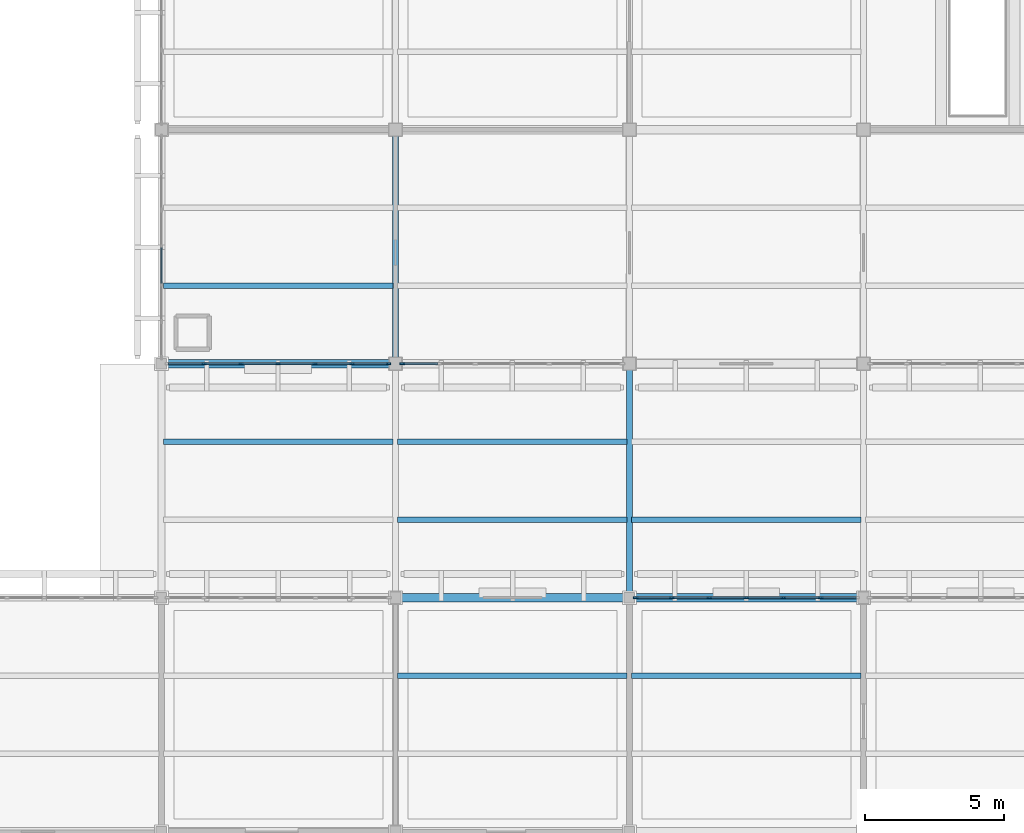
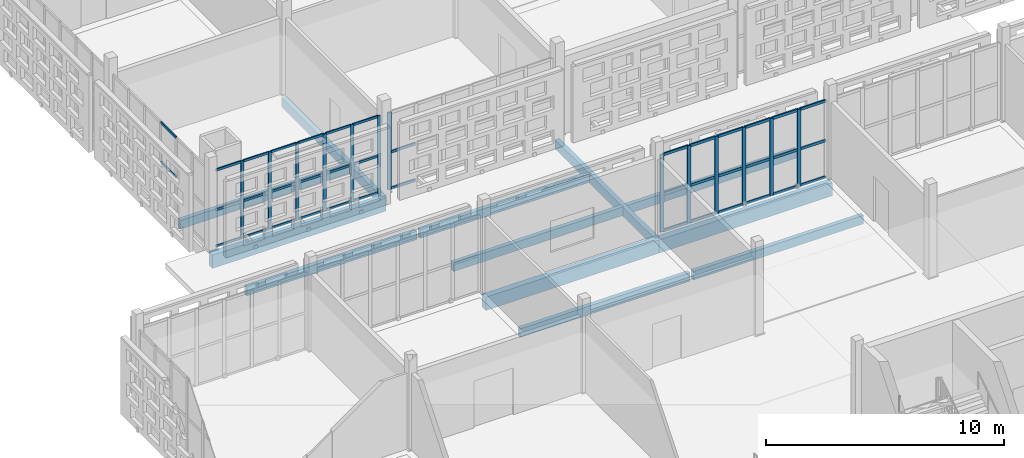
# One storey, part 73 of 203: 53 members, 12 beams, 4 elements without a shape of their own.
"""IFC4 building model written with IfcOpenShell, lengths in metres."""

import ifcopenshell
import ifcopenshell.guid

model = None  # the IFC model being written
_history = None  # IfcOwnerHistory: only IFC2X3 demands one
_inside = {}  # id of a spatial element -> (the spatial element, [elements in it])
_under = {}  # id of a project, library or spatial element -> (it, [spatial elements below it])
_declared = {}  # id of a project -> (the project, [libraries it declares])
_typed = {}  # id of a type object -> (the type object, [elements of that type])
_made_of = {}  # id of a material, layer set ... -> (it, [elements and type objects made of it])


def new_model(schema):
    """Start an empty IFC model of exactly this schema.

    Asked for "IFC4X3", IfcOpenShell would pick the latest addendum, in which some entities
    have other attributes; the version numbers below select the first issue.
    IFC2X3 requires an IfcOwnerHistory on every rooted entity: one is made here for all.
    """
    global model, _history
    if schema == "IFC4X3":
        model = ifcopenshell.file(schema_version=(4, 3, 0, 0))
    else:
        model = ifcopenshell.file(schema=schema)
    _inside.clear()
    _under.clear()
    _declared.clear()
    _typed.clear()
    _made_of.clear()
    _history = None
    if model.schema == "IFC2X3":
        org = make("IfcOrganization", Name="unknown")
        user = make(
            "IfcPersonAndOrganization",
            ThePerson=make("IfcPerson", FamilyName="unknown"),
            TheOrganization=org,
        )
        app = make(
            "IfcApplication",
            ApplicationDeveloper=org,
            Version="unknown",
            ApplicationFullName="unknown",
            ApplicationIdentifier="unknown",
        )
        _history = make(
            "IfcOwnerHistory",
            OwningUser=user,
            OwningApplication=app,
            ChangeAction="ADDED",
            CreationDate=0,
        )
    return model


def make(cls, **values):
    """One entity of the class cls with the attributes given. An attribute that is None is left unset."""
    return model.create_entity(
        cls, **{name: value for name, value in values.items() if value is not None}
    )


def rooted(cls, **values):
    """An entity with a GlobalId (a new one), such as an element, a storey or a relation."""
    return make(cls, GlobalId=ifcopenshell.guid.new(), OwnerHistory=_history, **values)


def si_unit(unit_type, name, prefix=None):
    """IfcSIUnit, for example si_unit("LENGTHUNIT", "METRE", prefix="MILLI")."""
    return make("IfcSIUnit", UnitType=unit_type, Prefix=prefix, Name=name)


def assignment(units):
    """IfcUnitAssignment: the units of a project."""
    return None if units is None else make("IfcUnitAssignment", Units=units)


def point(xyz):
    """IfcCartesianPoint."""
    return None if xyz is None else make("IfcCartesianPoint", Coordinates=xyz)


def direction(xyz):
    """IfcDirection."""
    return None if xyz is None else make("IfcDirection", DirectionRatios=xyz)


def frame(location, z_axis=None, x_axis=None):
    """IfcAxis2Placement3D, a coordinate frame: its origin and axes. An axis left out is left unset."""
    return make(
        "IfcAxis2Placement3D",
        Location=point(location),
        Axis=direction(z_axis),
        RefDirection=direction(x_axis),
    )


def frame_2d(location, x_axis=None):
    """IfcAxis2Placement2D, a coordinate frame in the plane: its origin and x axis."""
    return make(
        "IfcAxis2Placement2D", Location=point(location), RefDirection=direction(x_axis)
    )


def origin():
    """The frame at (0, 0, 0) with its axes left unset."""
    return frame((0.0, 0.0, 0.0))


def origin_2d():
    """The frame at (0, 0) in the plane with its x axis left unset."""
    return frame_2d((0.0, 0.0))


def place(relative_to, where):
    """IfcLocalPlacement: puts the frame where relative to a parent placement (None: the world)."""
    return make(
        "IfcLocalPlacement", PlacementRelTo=relative_to, RelativePlacement=where
    )


def context(
    kind, dimensions, precision=None, world=None, true_north=None, identifier=None
):
    """IfcGeometricRepresentationContext, for example the 3D "Model" context."""
    return make(
        "IfcGeometricRepresentationContext",
        ContextIdentifier=identifier,
        ContextType=kind,
        CoordinateSpaceDimension=dimensions,
        Precision=precision,
        WorldCoordinateSystem=world,
        TrueNorth=true_north,
    )


def subcontext(parent, identifier, kind, view, scale=None):
    """IfcGeometricRepresentationSubContext, for example "Body" below "Model"."""
    return make(
        "IfcGeometricRepresentationSubContext",
        ContextIdentifier=identifier,
        ContextType=kind,
        ParentContext=parent,
        TargetScale=scale,
        TargetView=view,
    )


def project(units=None, contexts=None):
    """IfcProject with its units and contexts."""
    return rooted(
        "IfcProject",
        Name="project",
        RepresentationContexts=contexts,
        UnitsInContext=assignment(units),
    )


def spatial(cls, under=None, at=None, **own):
    """A site, building, storey or space (cls), placed at a placement, below another one or the project."""
    s = rooted(cls, ObjectPlacement=at, **own)
    if under is not None:
        _under.setdefault(under.id(), (under, []))[1].append(s)
    return s


def profile(cls, at=None, kind="AREA", **sizes):
    """A parametric profile (cls). Its sizes go by their IFC names, for example OverallWidth=200.0."""
    return make(cls, ProfileType=kind, Position=at, **sizes)


def rectangle(**sizes):
    """IfcRectangleProfileDef."""
    return profile("IfcRectangleProfileDef", **sizes)


def extrude(swept, where, along, depth):
    """IfcExtrudedAreaSolid: the profile swept, set in the frame where, extruded along a direction by depth."""
    return make(
        "IfcExtrudedAreaSolid",
        SweptArea=swept,
        Position=where,
        ExtrudedDirection=direction(along),
        Depth=depth,
    )


def shape(context_of_items, identifier, shape_type, items):
    """IfcShapeRepresentation: the items that make up one representation, for example the "Body"."""
    return make(
        "IfcShapeRepresentation",
        ContextOfItems=context_of_items,
        RepresentationIdentifier=identifier,
        RepresentationType=shape_type,
        Items=items,
    )


def material(Name=None, Category=None):
    """IfcMaterial."""
    return make("IfcMaterial", Name=Name, Category=Category)


def layer(
    of_material, thickness, ventilated=None, Name=None, Category=None, Priority=None
):
    """IfcMaterialLayer: one layer of a wall or slab, of a material (None: an air gap)."""
    return make(
        "IfcMaterialLayer",
        Material=of_material,
        LayerThickness=thickness,
        IsVentilated=ventilated,
        Name=Name,
        Category=Category,
        Priority=Priority,
    )


def layer_set(layers, Name=None):
    """IfcMaterialLayerSet."""
    return make("IfcMaterialLayerSet", MaterialLayers=layers, LayerSetName=Name)


def material_profile(
    of_material, cross_section, Name=None, Category=None, Priority=None
):
    """IfcMaterialProfile: a cross section and its material."""
    return make(
        "IfcMaterialProfile",
        Name=Name,
        Material=of_material,
        Profile=cross_section,
        Priority=Priority,
        Category=Category,
    )


def profile_set(profiles, Name=None, composite=None):
    """IfcMaterialProfileSet."""
    return make(
        "IfcMaterialProfileSet",
        Name=Name,
        MaterialProfiles=profiles,
        CompositeProfile=composite,
    )


def made_of(thing, what):
    """Note that an element or type object is made of a material, layer set ...; save() writes the relation."""
    if what is not None:
        _made_of.setdefault(what.id(), (what, []))[1].append(thing)
    return thing


def type_object(cls, material=None, **own):
    """A type object (cls), such as IfcWallType, which elements share."""
    return made_of(rooted(cls, **own), material)


def element(
    cls,
    number,
    at=None,
    inside=None,
    cuts=None,
    type_object=None,
    material=None,
    context=None,
    identifier="Body",
    shape_type=None,
    held_by="IfcProductDefinitionShape",
    body=None,
    shapes=None,
    **own,
):
    """One element of the class cls, such as IfcWall. Its Tag is "e" and its number.

    at: its placement. inside: the storey or other place that contains it. cuts: it is an
    opening in that element (IfcRelVoidsElement). A single representation is given by context,
    identifier, shape_type and body (its items); several are given by shapes. held_by: the class
    of the entity that holds the representations. save() writes the other relations.
    """
    e = rooted(cls, Tag="e%d" % number, ObjectPlacement=at, **own)
    if body is not None:
        shapes = [shape(context, identifier, shape_type, body)]
    if shapes is not None:
        e.Representation = make(held_by, Representations=shapes)
    if inside is not None:
        _inside.setdefault(inside.id(), (inside, []))[1].append(e)
    if cuts is not None:
        rooted(
            "IfcRelVoidsElement", RelatingBuildingElement=cuts, RelatedOpeningElement=e
        )
    if type_object is not None:
        _typed.setdefault(type_object.id(), (type_object, []))[1].append(e)
    return made_of(e, material)


def aggregate(whole, parts):
    """IfcRelAggregates: a whole, such as a stair, and the parts it consists of."""
    return rooted("IfcRelAggregates", RelatingObject=whole, RelatedObjects=parts)


def save(model, path):
    """Write the relations noted so far, then the file.

    IfcRelAggregates (storeys below a building ...), IfcRelContainedInSpatialStructure (elements
    in a storey), IfcRelDefinesByType, IfcRelAssociatesMaterial and IfcRelDeclares: one each for
    every whole, place, type object, material and project.
    """
    for whole, parts in _under.values():
        aggregate(whole, parts)
    for where, things in _inside.values():
        rooted(
            "IfcRelContainedInSpatialStructure",
            RelatedElements=things,
            RelatingStructure=where,
        )
    for kind, things in _typed.values():
        rooted("IfcRelDefinesByType", RelatedObjects=things, RelatingType=kind)
    for what, things in _made_of.values():
        rooted("IfcRelAssociatesMaterial", RelatedObjects=things, RelatingMaterial=what)
    for by, libraries in _declared.values():
        rooted("IfcRelDeclares", RelatingContext=by, RelatedDefinitions=libraries)
    model.write(path)


model = new_model("IFC4")

# Units and contexts
model_context = context("Model", 3, precision=1e-05, world=origin(), true_north=direction((0.0, 1.0)))
body_context = subcontext(model_context, "Body", "Model", "MODEL_VIEW")
ifc_project = project(units=[si_unit("LENGTHUNIT", "METRE"), si_unit("AREAUNIT", "SQUARE_METRE"), si_unit("VOLUMEUNIT", "CUBIC_METRE"), si_unit("PLANEANGLEUNIT", "RADIAN"), si_unit("MASSUNIT", "GRAM", prefix="KILO")], contexts=[model_context])

# Site, building, storey
site_placement = place(None, origin())
site = spatial("IfcSite", under=ifc_project, at=site_placement, CompositionType="ELEMENT")
building_placement = place(site_placement, origin())
building = spatial("IfcBuilding", under=site, at=building_placement, Name="Varnapada Polytechnic", CompositionType="ELEMENT")
storey_placement = place(building_placement, frame((0.0, 0.0, 4.800048828125)))
storey = spatial("IfcBuildingStorey", under=building, at=storey_placement, Name="L01", CompositionType="ELEMENT", Elevation=4.800048828125)

# Beams
ifc_material_1 = material(Name="Glulam GL32h", Category="wood")
ifc_material_profile_1 = material_profile(ifc_material_1, rectangle(XDim=0.199951171875, YDim=0.43994140625, at=origin_2d()), Name="GL 200x440")
ifc_profile_set_1 = profile_set([ifc_material_profile_1], Name="Glulam GL32h")
beam_type_1 = type_object("IfcBeamType", Name="Heavy laboratory glulam joist GJ-03 (GL 200x440)", PredefinedType="JOIST", material=ifc_profile_set_1)
for number, where, z_axis, x_axis, name in (
    (1, (134.47998046875, 56.0, -0.489990234375), (1.0, 0.0, 0.0), (0.0, 1.0, 0.0), "L01 floor joist 17/7.2"),
    (2, (134.47998046875, 61.60009765625, -0.469970703125), (1.0, 0.0, 0.0), (0.0, 1.0, 0.0), "L01 floor joist 17/8.1"),
):
    element("IfcBeam", number, at=place(storey_placement, frame(where, z_axis=z_axis, x_axis=x_axis)), inside=storey, type_object=beam_type_1, Name=name, PredefinedType="JOIST", context=body_context, shape_type="SweptSolid", body=[
        extrude(rectangle(XDim=0.199951171875, YDim=0.43994140625, at=origin_2d()), origin(), (0.0, 0.0, 1.0), 8.239990234375),
    ])
for number, where, z_axis, x_axis, name in (
    (3, (142.8798828125, 47.60009765625, -0.469970703125), (1.0, 0.0, 0.0), (0.0, 1.0, 0.0), "L01 floor joist 18/6.2"),
    (4, (142.8798828125, 53.199951171875, -0.489990234375), (1.0, 0.0, 0.0), (0.0, 1.0, 0.0), "L01 floor joist 18/7.1"),
    (5, (142.8798828125, 56.0, -0.489990234375), (1.0, 0.0, 0.0), (0.0, 1.0, 0.0), "L01 floor joist 18/7.2"),
):
    element("IfcBeam", number, at=place(storey_placement, frame(where, z_axis=z_axis, x_axis=x_axis)), inside=storey, type_object=beam_type_1, Name=name, PredefinedType="JOIST", context=body_context, shape_type="SweptSolid", body=[
        extrude(rectangle(XDim=0.199951171875, YDim=0.43994140625, at=origin_2d()), origin(), (0.0, 0.0, 1.0), 8.240234375),
    ])
for number, where, z_axis, x_axis, name in (
    (6, (151.280029296875, 47.60009765625, -0.469970703125), (1.0, 0.0, 0.0), (0.0, 1.0, 0.0), "L01 floor joist 19/6.2"),
    (7, (151.280029296875, 53.199951171875, -0.489990234375), (1.0, 0.0, 0.0), (0.0, 1.0, 0.0), "L01 floor joist 19/7.1"),
):
    element("IfcBeam", number, at=place(storey_placement, frame(where, z_axis=z_axis, x_axis=x_axis)), inside=storey, type_object=beam_type_1, Name=name, PredefinedType="JOIST", context=body_context, shape_type="SweptSolid", body=[
        extrude(rectangle(XDim=0.199951171875, YDim=0.43994140625, at=origin_2d()), origin(), (0.0, 0.0, 1.0), 8.239990234375),
    ])

# Curtain wall, members
ifc_material_2 = material(Name="Double low-E laminated glass", Category="glass")
ifc_layer_1 = layer(ifc_material_2, 0.159912109375)
ifc_layer_set_1 = layer_set([ifc_layer_1], Name="Double low-E laminated glass")
curtain_wall_type_1 = type_object("IfcCurtainWallType", Name="Curtain Wall CW-01", PredefinedType="NOTDEFINED", material=ifc_layer_set_1)
curtain_wall_1_placement = place(storey_placement, origin())
curtain_wall_1 = element("IfcCurtainWall", 8, at=curtain_wall_1_placement, inside=storey, type_object=curtain_wall_type_1, Name="L01 unitised curtain wall CW-01 (101)", PredefinedType="NOTDEFINED")
ifc_material_3 = material(Name="Anodised aluminium", Category="aluminium")
ifc_material_profile_2 = material_profile(ifc_material_3, rectangle(XDim=0.06005859375, YDim=0.159912109375, at=origin_2d()), Name="ALU M60x160")
ifc_profile_set_2 = profile_set([ifc_material_profile_2], Name="Anodised aluminium")
member_type_1 = type_object("IfcMemberType", Name="Mullion M-01", PredefinedType="MULLION", material=ifc_profile_set_2)
member_1_placement = place(storey_placement, frame((142.550048828125, 58.800048828125, 0.0), z_axis=(0.0, 0.0, 1.0), x_axis=(0.0, -1.0, 0.0)))
member_1 = element("IfcMember", 9, at=member_1_placement, type_object=member_type_1, Name="CW-01 mullion 1", PredefinedType="MULLION", context=body_context, shape_type="SweptSolid", body=[
    extrude(rectangle(XDim=0.06005859375, YDim=0.159912109375, at=origin_2d()), origin(), (0.0, 0.0, 1.0), 3.9599609375),
])
member_2_placement = place(storey_placement, frame((141.248291015625, 58.800048828125, 0.0), z_axis=(0.0, 0.0, 1.0), x_axis=(0.0, -1.0, 0.0)))
member_2 = element("IfcMember", 10, at=member_2_placement, type_object=member_type_1, Name="CW-01 mullion 2", PredefinedType="MULLION", context=body_context, shape_type="SweptSolid", body=[
    extrude(rectangle(XDim=0.06005859375, YDim=0.159912109375, at=origin_2d()), origin(), (0.0, 0.0, 1.0), 3.9599609375),
])
member_3_placement = place(storey_placement, frame((139.916748046875, 58.800048828125, 0.0), z_axis=(0.0, 0.0, 1.0), x_axis=(0.0, -1.0, 0.0)))
member_3 = element("IfcMember", 11, at=member_3_placement, type_object=member_type_1, Name="CW-01 mullion 3", PredefinedType="MULLION", context=body_context, shape_type="SweptSolid", body=[
    extrude(rectangle(XDim=0.06005859375, YDim=0.159912109375, at=origin_2d()), origin(), (0.0, 0.0, 1.0), 3.9599609375),
])
member_4_placement = place(storey_placement, frame((138.5849609375, 58.800048828125, 0.0), z_axis=(0.0, 0.0, 1.0), x_axis=(0.0, -1.0, 0.0)))
member_4 = element("IfcMember", 12, at=member_4_placement, type_object=member_type_1, Name="CW-01 mullion 4", PredefinedType="MULLION", context=body_context, shape_type="SweptSolid", body=[
    extrude(rectangle(XDim=0.06005859375, YDim=0.159912109375, at=origin_2d()), origin(), (0.0, 0.0, 1.0), 3.9599609375),
])
member_5_placement = place(storey_placement, frame((137.25341796875, 58.800048828125, 0.0), z_axis=(0.0, 0.0, 1.0), x_axis=(0.0, -1.0, 0.0)))
member_5 = element("IfcMember", 13, at=member_5_placement, type_object=member_type_1, Name="CW-01 mullion 5", PredefinedType="MULLION", context=body_context, shape_type="SweptSolid", body=[
    extrude(rectangle(XDim=0.06005859375, YDim=0.159912109375, at=origin_2d()), origin(), (0.0, 0.0, 1.0), 3.9599609375),
])
member_6_placement = place(storey_placement, frame((135.921630859375, 58.800048828125, 0.0), z_axis=(0.0, 0.0, 1.0), x_axis=(0.0, -1.0, 0.0)))
member_6 = element("IfcMember", 14, at=member_6_placement, type_object=member_type_1, Name="CW-01 mullion 6", PredefinedType="MULLION", context=body_context, shape_type="SweptSolid", body=[
    extrude(rectangle(XDim=0.06005859375, YDim=0.159912109375, at=origin_2d()), origin(), (0.0, 0.0, 1.0), 3.9599609375),
])

# Curtain wall, member
ifc_layer_2 = layer(ifc_material_2, 0.179931640625)
ifc_layer_set_2 = layer_set([ifc_layer_2], Name="Double low-E laminated glass")
curtain_wall_type_2 = type_object("IfcCurtainWallType", Name="Curtain Wall CW-04", PredefinedType="NOTDEFINED", material=ifc_layer_set_2)
curtain_wall_2_placement = place(storey_placement, origin())
curtain_wall_2 = element("IfcCurtainWall", 15, at=curtain_wall_2_placement, inside=storey, type_object=curtain_wall_type_2, Name="L01 unitised curtain wall CW-04 (107)", PredefinedType="NOTDEFINED")
ifc_material_profile_3 = material_profile(ifc_material_3, rectangle(XDim=0.06494140625, YDim=0.179931640625, at=origin_2d()), Name="ALU M65x180")
ifc_profile_set_3 = profile_set([ifc_material_profile_3], Name="Anodised aluminium")
member_type_2 = type_object("IfcMemberType", Name="Mullion M-02", PredefinedType="MULLION", material=ifc_profile_set_3)
member_7_placement = place(storey_placement, frame((143.052490234375, 58.800048828125, 0.0), z_axis=(0.0, 0.0, 1.0), x_axis=(0.0, -1.0, 0.0)))
member_7 = element("IfcMember", 16, at=member_7_placement, type_object=member_type_2, Name="CW-04 mullion 7", PredefinedType="MULLION", context=body_context, shape_type="SweptSolid", body=[
    extrude(rectangle(XDim=0.06494140625, YDim=0.179931640625, at=origin_2d()), origin(), (0.0, 0.0, 1.0), 3.9599609375),
])

# Curtain wall, members
curtain_wall_3_placement = place(storey_placement, origin())
curtain_wall_3 = element("IfcCurtainWall", 17, at=curtain_wall_3_placement, inside=storey, type_object=curtain_wall_type_2, Name="L01 unitised curtain wall CW-04 (111)", PredefinedType="NOTDEFINED")
member_8_placement = place(storey_placement, frame((151.422607421875, 50.39990234375, 0.0), z_axis=(0.0, 0.0, 1.0), x_axis=(0.0, 1.0, 0.0)))
member_8 = element("IfcMember", 18, at=member_8_placement, type_object=member_type_2, Name="CW-04 mullion 1", PredefinedType="MULLION", context=body_context, shape_type="SweptSolid", body=[
    extrude(rectangle(XDim=0.06494140625, YDim=0.179931640625, at=origin_2d()), origin(), (0.0, 0.0, 1.0), 3.9599609375),
])
member_9_placement = place(storey_placement, frame((152.72509765625, 50.39990234375, 0.0), z_axis=(0.0, 0.0, 1.0), x_axis=(0.0, 1.0, 0.0)))
member_9 = element("IfcMember", 19, at=member_9_placement, type_object=member_type_2, Name="CW-04 mullion 2", PredefinedType="MULLION", context=body_context, shape_type="SweptSolid", body=[
    extrude(rectangle(XDim=0.06494140625, YDim=0.179931640625, at=origin_2d()), origin(), (0.0, 0.0, 1.0), 3.9599609375),
])
member_10_placement = place(storey_placement, frame((154.06005859375, 50.39990234375, 0.0), z_axis=(0.0, 0.0, 1.0), x_axis=(0.0, 1.0, 0.0)))
member_10 = element("IfcMember", 20, at=member_10_placement, type_object=member_type_2, Name="CW-04 mullion 3", PredefinedType="MULLION", context=body_context, shape_type="SweptSolid", body=[
    extrude(rectangle(XDim=0.06494140625, YDim=0.179931640625, at=origin_2d()), origin(), (0.0, 0.0, 1.0), 3.9599609375),
])
member_11_placement = place(storey_placement, frame((155.39501953125, 50.39990234375, 0.0), z_axis=(0.0, 0.0, 1.0), x_axis=(0.0, 1.0, 0.0)))
member_11 = element("IfcMember", 21, at=member_11_placement, type_object=member_type_2, Name="CW-04 mullion 4", PredefinedType="MULLION", context=body_context, shape_type="SweptSolid", body=[
    extrude(rectangle(XDim=0.06494140625, YDim=0.179931640625, at=origin_2d()), origin(), (0.0, 0.0, 1.0), 3.9599609375),
])
member_12_placement = place(storey_placement, frame((156.72998046875, 50.39990234375, 0.0), z_axis=(0.0, 0.0, 1.0), x_axis=(0.0, 1.0, 0.0)))
member_12 = element("IfcMember", 22, at=member_12_placement, type_object=member_type_2, Name="CW-04 mullion 5", PredefinedType="MULLION", context=body_context, shape_type="SweptSolid", body=[
    extrude(rectangle(XDim=0.06494140625, YDim=0.179931640625, at=origin_2d()), origin(), (0.0, 0.0, 1.0), 3.9599609375),
])
member_13_placement = place(storey_placement, frame((158.06494140625, 50.39990234375, 0.0), z_axis=(0.0, 0.0, 1.0), x_axis=(0.0, 1.0, 0.0)))
member_13 = element("IfcMember", 23, at=member_13_placement, type_object=member_type_2, Name="CW-04 mullion 6", PredefinedType="MULLION", context=body_context, shape_type="SweptSolid", body=[
    extrude(rectangle(XDim=0.06494140625, YDim=0.179931640625, at=origin_2d()), origin(), (0.0, 0.0, 1.0), 3.9599609375),
])

# Member
ifc_material_profile_4 = material_profile(ifc_material_3, rectangle(XDim=0.06005859375, YDim=0.1201171875, at=origin_2d()), Name="ALU T60x120")
ifc_profile_set_4 = profile_set([ifc_material_profile_4], Name="Anodised aluminium")
member_type_3 = type_object("IfcMemberType", Name="Transom T-01", PredefinedType="USERDEFINED", material=ifc_profile_set_4)
member_14_placement = place(storey_placement, frame((142.52001953125, 58.800048828125, 0.030029296875), z_axis=(-1.0, 0.0, 0.0), x_axis=(0.0, -1.0, 0.0)))
member_14 = element("IfcMember", 24, at=member_14_placement, type_object=member_type_3, Name="CW-01 transom 1.1", ObjectType="TRANSOM", PredefinedType="USERDEFINED", context=body_context, shape_type="SweptSolid", body=[
    extrude(rectangle(XDim=0.06005859375, YDim=0.1201171875, at=origin_2d()), origin(), (0.0, 0.0, 1.0), 1.24169921875),
])

member_15_placement = place(storey_placement, frame((142.52001953125, 58.800048828125, 1.900634765625), z_axis=(-1.0, 0.0, 0.0), x_axis=(0.0, -1.0, 0.0)))
member_15 = element("IfcMember", 25, at=member_15_placement, type_object=member_type_3, Name="CW-01 transom 1.2", ObjectType="TRANSOM", PredefinedType="USERDEFINED", context=body_context, shape_type="SweptSolid", body=[
    extrude(rectangle(XDim=0.06005859375, YDim=0.1201171875, at=origin_2d()), origin(), (0.0, 0.0, 1.0), 1.24169921875),
])

member_16_placement = place(storey_placement, frame((142.52001953125, 58.800048828125, 3.929931640625), z_axis=(-1.0, 0.0, 0.0), x_axis=(0.0, -1.0, 0.0)))
member_16 = element("IfcMember", 26, at=member_16_placement, type_object=member_type_3, Name="CW-01 transom 1.3", ObjectType="TRANSOM", PredefinedType="USERDEFINED", context=body_context, shape_type="SweptSolid", body=[
    extrude(rectangle(XDim=0.06005859375, YDim=0.1201171875, at=origin_2d()), origin(), (0.0, 0.0, 1.0), 1.24169921875),
])

member_17_placement = place(storey_placement, frame((141.21826171875, 58.800048828125, 0.030029296875), z_axis=(-1.0, 0.0, 0.0), x_axis=(0.0, -1.0, 0.0)))
member_17 = element("IfcMember", 27, at=member_17_placement, type_object=member_type_3, Name="CW-01 transom 2.1", ObjectType="TRANSOM", PredefinedType="USERDEFINED", context=body_context, shape_type="SweptSolid", body=[
    extrude(rectangle(XDim=0.06005859375, YDim=0.1201171875, at=origin_2d()), origin(), (0.0, 0.0, 1.0), 1.271484375),
])

member_18_placement = place(storey_placement, frame((141.21826171875, 58.800048828125, 1.900634765625), z_axis=(-1.0, 0.0, 0.0), x_axis=(0.0, -1.0, 0.0)))
member_18 = element("IfcMember", 28, at=member_18_placement, type_object=member_type_3, Name="CW-01 transom 2.2", ObjectType="TRANSOM", PredefinedType="USERDEFINED", context=body_context, shape_type="SweptSolid", body=[
    extrude(rectangle(XDim=0.06005859375, YDim=0.1201171875, at=origin_2d()), origin(), (0.0, 0.0, 1.0), 1.271484375),
])

member_19_placement = place(storey_placement, frame((141.21826171875, 58.800048828125, 3.929931640625), z_axis=(-1.0, 0.0, 0.0), x_axis=(0.0, -1.0, 0.0)))
member_19 = element("IfcMember", 29, at=member_19_placement, type_object=member_type_3, Name="CW-01 transom 2.3", ObjectType="TRANSOM", PredefinedType="USERDEFINED", context=body_context, shape_type="SweptSolid", body=[
    extrude(rectangle(XDim=0.06005859375, YDim=0.1201171875, at=origin_2d()), origin(), (0.0, 0.0, 1.0), 1.271484375),
])

member_20_placement = place(storey_placement, frame((139.88671875, 58.800048828125, 0.030029296875), z_axis=(-1.0, 0.0, 0.0), x_axis=(0.0, -1.0, 0.0)))
member_20 = element("IfcMember", 30, at=member_20_placement, type_object=member_type_3, Name="CW-01 transom 3.1", ObjectType="TRANSOM", PredefinedType="USERDEFINED", context=body_context, shape_type="SweptSolid", body=[
    extrude(rectangle(XDim=0.06005859375, YDim=0.1201171875, at=origin_2d()), origin(), (0.0, 0.0, 1.0), 1.271728515625),
])

member_21_placement = place(storey_placement, frame((139.88671875, 58.800048828125, 1.900634765625), z_axis=(-1.0, 0.0, 0.0), x_axis=(0.0, -1.0, 0.0)))
member_21 = element("IfcMember", 31, at=member_21_placement, type_object=member_type_3, Name="CW-01 transom 3.2", ObjectType="TRANSOM", PredefinedType="USERDEFINED", context=body_context, shape_type="SweptSolid", body=[
    extrude(rectangle(XDim=0.06005859375, YDim=0.1201171875, at=origin_2d()), origin(), (0.0, 0.0, 1.0), 1.271728515625),
])

member_22_placement = place(storey_placement, frame((139.88671875, 58.800048828125, 3.929931640625), z_axis=(-1.0, 0.0, 0.0), x_axis=(0.0, -1.0, 0.0)))
member_22 = element("IfcMember", 32, at=member_22_placement, type_object=member_type_3, Name="CW-01 transom 3.3", ObjectType="TRANSOM", PredefinedType="USERDEFINED", context=body_context, shape_type="SweptSolid", body=[
    extrude(rectangle(XDim=0.06005859375, YDim=0.1201171875, at=origin_2d()), origin(), (0.0, 0.0, 1.0), 1.271728515625),
])

member_23_placement = place(storey_placement, frame((138.554931640625, 58.800048828125, 0.030029296875), z_axis=(-1.0, 0.0, 0.0), x_axis=(0.0, -1.0, 0.0)))
member_23 = element("IfcMember", 33, at=member_23_placement, type_object=member_type_3, Name="CW-01 transom 4.1", ObjectType="TRANSOM", PredefinedType="USERDEFINED", context=body_context, shape_type="SweptSolid", body=[
    extrude(rectangle(XDim=0.06005859375, YDim=0.1201171875, at=origin_2d()), origin(), (0.0, 0.0, 1.0), 1.271484375),
])

member_24_placement = place(storey_placement, frame((138.554931640625, 58.800048828125, 1.900634765625), z_axis=(-1.0, 0.0, 0.0), x_axis=(0.0, -1.0, 0.0)))
member_24 = element("IfcMember", 34, at=member_24_placement, type_object=member_type_3, Name="CW-01 transom 4.2", ObjectType="TRANSOM", PredefinedType="USERDEFINED", context=body_context, shape_type="SweptSolid", body=[
    extrude(rectangle(XDim=0.06005859375, YDim=0.1201171875, at=origin_2d()), origin(), (0.0, 0.0, 1.0), 1.271484375),
])

member_25_placement = place(storey_placement, frame((138.554931640625, 58.800048828125, 3.929931640625), z_axis=(-1.0, 0.0, 0.0), x_axis=(0.0, -1.0, 0.0)))
member_25 = element("IfcMember", 35, at=member_25_placement, type_object=member_type_3, Name="CW-01 transom 4.3", ObjectType="TRANSOM", PredefinedType="USERDEFINED", context=body_context, shape_type="SweptSolid", body=[
    extrude(rectangle(XDim=0.06005859375, YDim=0.1201171875, at=origin_2d()), origin(), (0.0, 0.0, 1.0), 1.271484375),
])

member_26_placement = place(storey_placement, frame((137.223388671875, 58.800048828125, 0.030029296875), z_axis=(-1.0, 0.0, 0.0), x_axis=(0.0, -1.0, 0.0)))
member_26 = element("IfcMember", 36, at=member_26_placement, type_object=member_type_3, Name="CW-01 transom 5.1", ObjectType="TRANSOM", PredefinedType="USERDEFINED", context=body_context, shape_type="SweptSolid", body=[
    extrude(rectangle(XDim=0.06005859375, YDim=0.1201171875, at=origin_2d()), origin(), (0.0, 0.0, 1.0), 1.271728515625),
])

member_27_placement = place(storey_placement, frame((137.223388671875, 58.800048828125, 1.900634765625), z_axis=(-1.0, 0.0, 0.0), x_axis=(0.0, -1.0, 0.0)))
member_27 = element("IfcMember", 37, at=member_27_placement, type_object=member_type_3, Name="CW-01 transom 5.2", ObjectType="TRANSOM", PredefinedType="USERDEFINED", context=body_context, shape_type="SweptSolid", body=[
    extrude(rectangle(XDim=0.06005859375, YDim=0.1201171875, at=origin_2d()), origin(), (0.0, 0.0, 1.0), 1.271728515625),
])

member_28_placement = place(storey_placement, frame((137.223388671875, 58.800048828125, 3.929931640625), z_axis=(-1.0, 0.0, 0.0), x_axis=(0.0, -1.0, 0.0)))
member_28 = element("IfcMember", 38, at=member_28_placement, type_object=member_type_3, Name="CW-01 transom 5.3", ObjectType="TRANSOM", PredefinedType="USERDEFINED", context=body_context, shape_type="SweptSolid", body=[
    extrude(rectangle(XDim=0.06005859375, YDim=0.1201171875, at=origin_2d()), origin(), (0.0, 0.0, 1.0), 1.271728515625),
])

member_29_placement = place(storey_placement, frame((135.8916015625, 58.800048828125, 0.030029296875), z_axis=(-1.0, 0.0, 0.0), x_axis=(0.0, -1.0, 0.0)))
member_29 = element("IfcMember", 39, at=member_29_placement, type_object=member_type_3, Name="CW-01 transom 6.1", ObjectType="TRANSOM", PredefinedType="USERDEFINED", context=body_context, shape_type="SweptSolid", body=[
    extrude(rectangle(XDim=0.06005859375, YDim=0.1201171875, at=origin_2d()), origin(), (0.0, 0.0, 1.0), 1.24169921875),
])

member_30_placement = place(storey_placement, frame((135.8916015625, 58.800048828125, 1.900634765625), z_axis=(-1.0, 0.0, 0.0), x_axis=(0.0, -1.0, 0.0)))
member_30 = element("IfcMember", 40, at=member_30_placement, type_object=member_type_3, Name="CW-01 transom 6.2", ObjectType="TRANSOM", PredefinedType="USERDEFINED", context=body_context, shape_type="SweptSolid", body=[
    extrude(rectangle(XDim=0.06005859375, YDim=0.1201171875, at=origin_2d()), origin(), (0.0, 0.0, 1.0), 1.24169921875),
])

member_31_placement = place(storey_placement, frame((135.8916015625, 58.800048828125, 3.929931640625), z_axis=(-1.0, 0.0, 0.0), x_axis=(0.0, -1.0, 0.0)))
member_31 = element("IfcMember", 41, at=member_31_placement, type_object=member_type_3, Name="CW-01 transom 6.3", ObjectType="TRANSOM", PredefinedType="USERDEFINED", context=body_context, shape_type="SweptSolid", body=[
    extrude(rectangle(XDim=0.06005859375, YDim=0.1201171875, at=origin_2d()), origin(), (0.0, 0.0, 1.0), 1.24169921875),
])

aggregate(curtain_wall_1, [member_1, member_2, member_3, member_4, member_5, member_6, member_14, member_15, member_16, member_17, member_18, member_19, member_20, member_21, member_22, member_23, member_24, member_25, member_26, member_27, member_28, member_29, member_30, member_31])

# Curtain wall, members
curtain_wall_4_placement = place(storey_placement, origin())
curtain_wall_4 = element("IfcCurtainWall", 42, at=curtain_wall_4_placement, inside=storey, type_object=curtain_wall_type_1, Name="L01 unitised curtain wall CW-01 (102)", PredefinedType="NOTDEFINED")
member_32_placement = place(storey_placement, frame((134.39990234375, 61.686767578125, 1.900634765625), z_axis=(0.0, 1.0, 0.0), x_axis=(-1.0, 0.0, 0.0)))
member_32 = element("IfcMember", 43, at=member_32_placement, type_object=member_type_3, Name="CW-01 transom 3.2", ObjectType="TRANSOM", PredefinedType="USERDEFINED", context=body_context, shape_type="SweptSolid", body=[
    extrude(rectangle(XDim=0.06005859375, YDim=0.1201171875, at=origin_2d()), origin(), (0.0, 0.0, 1.0), 1.273193359375),
])
member_33_placement = place(storey_placement, frame((134.39990234375, 61.686767578125, 3.929931640625), z_axis=(0.0, 1.0, 0.0), x_axis=(-1.0, 0.0, 0.0)))
member_33 = element("IfcMember", 44, at=member_33_placement, type_object=member_type_3, Name="CW-01 transom 3.3", ObjectType="TRANSOM", PredefinedType="USERDEFINED", context=body_context, shape_type="SweptSolid", body=[
    extrude(rectangle(XDim=0.06005859375, YDim=0.1201171875, at=origin_2d()), origin(), (0.0, 0.0, 1.0), 1.273193359375),
])
aggregate(curtain_wall_4, [member_32, member_33])

# Member
ifc_material_profile_5 = material_profile(ifc_material_3, rectangle(XDim=0.06494140625, YDim=0.139892578125, at=origin_2d()), Name="ALU T65x140")
ifc_profile_set_5 = profile_set([ifc_material_profile_5], Name="Anodised aluminium")
member_type_4 = type_object("IfcMemberType", Name="Transom T-02", PredefinedType="USERDEFINED", material=ifc_profile_set_5)
member_34_placement = place(storey_placement, frame((144.314208984375, 58.800048828125, 0.032470703125), z_axis=(-1.0, 0.0, 0.0), x_axis=(0.0, -1.0, 0.0)))
member_34 = element("IfcMember", 45, at=member_34_placement, type_object=member_type_4, Name="CW-04 transom 6.1", ObjectType="TRANSOM", PredefinedType="USERDEFINED", context=body_context, shape_type="SweptSolid", body=[
    extrude(rectangle(XDim=0.06494140625, YDim=0.139892578125, at=origin_2d()), origin(), (0.0, 0.0, 1.0), 1.229248046875),
])

member_35_placement = place(storey_placement, frame((144.314208984375, 58.800048828125, 1.900634765625), z_axis=(-1.0, 0.0, 0.0), x_axis=(0.0, -1.0, 0.0)))
member_35 = element("IfcMember", 46, at=member_35_placement, type_object=member_type_4, Name="CW-04 transom 6.2", ObjectType="TRANSOM", PredefinedType="USERDEFINED", context=body_context, shape_type="SweptSolid", body=[
    extrude(rectangle(XDim=0.06494140625, YDim=0.139892578125, at=origin_2d()), origin(), (0.0, 0.0, 1.0), 1.229248046875),
])

aggregate(curtain_wall_2, [member_7, member_34, member_35])

member_36_placement = place(storey_placement, frame((151.455078125, 50.39990234375, 0.032470703125), z_axis=(1.0, 0.0, 0.0), x_axis=(0.0, 1.0, 0.0)))
member_36 = element("IfcMember", 47, at=member_36_placement, type_object=member_type_4, Name="CW-04 transom 1.1", ObjectType="TRANSOM", PredefinedType="USERDEFINED", context=body_context, shape_type="SweptSolid", body=[
    extrude(rectangle(XDim=0.06494140625, YDim=0.139892578125, at=origin_2d()), origin(), (0.0, 0.0, 1.0), 1.2373046875),
])

member_37_placement = place(storey_placement, frame((151.455078125, 50.39990234375, 1.900634765625), z_axis=(1.0, 0.0, 0.0), x_axis=(0.0, 1.0, 0.0)))
member_37 = element("IfcMember", 48, at=member_37_placement, type_object=member_type_4, Name="CW-04 transom 1.2", ObjectType="TRANSOM", PredefinedType="USERDEFINED", context=body_context, shape_type="SweptSolid", body=[
    extrude(rectangle(XDim=0.06494140625, YDim=0.139892578125, at=origin_2d()), origin(), (0.0, 0.0, 1.0), 1.2373046875),
])

member_38_placement = place(storey_placement, frame((151.455078125, 50.39990234375, 3.927490234375), z_axis=(1.0, 0.0, 0.0), x_axis=(0.0, 1.0, 0.0)))
member_38 = element("IfcMember", 49, at=member_38_placement, type_object=member_type_4, Name="CW-04 transom 1.3", ObjectType="TRANSOM", PredefinedType="USERDEFINED", context=body_context, shape_type="SweptSolid", body=[
    extrude(rectangle(XDim=0.06494140625, YDim=0.139892578125, at=origin_2d()), origin(), (0.0, 0.0, 1.0), 1.2373046875),
])

member_39_placement = place(storey_placement, frame((152.757568359375, 50.39990234375, 0.032470703125), z_axis=(1.0, 0.0, 0.0), x_axis=(0.0, 1.0, 0.0)))
member_39 = element("IfcMember", 50, at=member_39_placement, type_object=member_type_4, Name="CW-04 transom 2.1", ObjectType="TRANSOM", PredefinedType="USERDEFINED", context=body_context, shape_type="SweptSolid", body=[
    extrude(rectangle(XDim=0.06494140625, YDim=0.139892578125, at=origin_2d()), origin(), (0.0, 0.0, 1.0), 1.27001953125),
])

member_40_placement = place(storey_placement, frame((152.757568359375, 50.39990234375, 1.900634765625), z_axis=(1.0, 0.0, 0.0), x_axis=(0.0, 1.0, 0.0)))
member_40 = element("IfcMember", 51, at=member_40_placement, type_object=member_type_4, Name="CW-04 transom 2.2", ObjectType="TRANSOM", PredefinedType="USERDEFINED", context=body_context, shape_type="SweptSolid", body=[
    extrude(rectangle(XDim=0.06494140625, YDim=0.139892578125, at=origin_2d()), origin(), (0.0, 0.0, 1.0), 1.27001953125),
])

member_41_placement = place(storey_placement, frame((152.757568359375, 50.39990234375, 3.927490234375), z_axis=(1.0, 0.0, 0.0), x_axis=(0.0, 1.0, 0.0)))
member_41 = element("IfcMember", 52, at=member_41_placement, type_object=member_type_4, Name="CW-04 transom 2.3", ObjectType="TRANSOM", PredefinedType="USERDEFINED", context=body_context, shape_type="SweptSolid", body=[
    extrude(rectangle(XDim=0.06494140625, YDim=0.139892578125, at=origin_2d()), origin(), (0.0, 0.0, 1.0), 1.27001953125),
])

member_42_placement = place(storey_placement, frame((154.092529296875, 50.39990234375, 0.032470703125), z_axis=(1.0, 0.0, 0.0), x_axis=(0.0, 1.0, 0.0)))
member_42 = element("IfcMember", 53, at=member_42_placement, type_object=member_type_4, Name="CW-04 transom 3.1", ObjectType="TRANSOM", PredefinedType="USERDEFINED", context=body_context, shape_type="SweptSolid", body=[
    extrude(rectangle(XDim=0.06494140625, YDim=0.139892578125, at=origin_2d()), origin(), (0.0, 0.0, 1.0), 1.27001953125),
])

member_43_placement = place(storey_placement, frame((154.092529296875, 50.39990234375, 1.900634765625), z_axis=(1.0, 0.0, 0.0), x_axis=(0.0, 1.0, 0.0)))
member_43 = element("IfcMember", 54, at=member_43_placement, type_object=member_type_4, Name="CW-04 transom 3.2", ObjectType="TRANSOM", PredefinedType="USERDEFINED", context=body_context, shape_type="SweptSolid", body=[
    extrude(rectangle(XDim=0.06494140625, YDim=0.139892578125, at=origin_2d()), origin(), (0.0, 0.0, 1.0), 1.27001953125),
])

member_44_placement = place(storey_placement, frame((154.092529296875, 50.39990234375, 3.927490234375), z_axis=(1.0, 0.0, 0.0), x_axis=(0.0, 1.0, 0.0)))
member_44 = element("IfcMember", 55, at=member_44_placement, type_object=member_type_4, Name="CW-04 transom 3.3", ObjectType="TRANSOM", PredefinedType="USERDEFINED", context=body_context, shape_type="SweptSolid", body=[
    extrude(rectangle(XDim=0.06494140625, YDim=0.139892578125, at=origin_2d()), origin(), (0.0, 0.0, 1.0), 1.27001953125),
])

member_45_placement = place(storey_placement, frame((155.427490234375, 50.39990234375, 0.032470703125), z_axis=(1.0, 0.0, 0.0), x_axis=(0.0, 1.0, 0.0)))
member_45 = element("IfcMember", 56, at=member_45_placement, type_object=member_type_4, Name="CW-04 transom 4.1", ObjectType="TRANSOM", PredefinedType="USERDEFINED", context=body_context, shape_type="SweptSolid", body=[
    extrude(rectangle(XDim=0.06494140625, YDim=0.139892578125, at=origin_2d()), origin(), (0.0, 0.0, 1.0), 1.27001953125),
])

member_46_placement = place(storey_placement, frame((155.427490234375, 50.39990234375, 1.900634765625), z_axis=(1.0, 0.0, 0.0), x_axis=(0.0, 1.0, 0.0)))
member_46 = element("IfcMember", 57, at=member_46_placement, type_object=member_type_4, Name="CW-04 transom 4.2", ObjectType="TRANSOM", PredefinedType="USERDEFINED", context=body_context, shape_type="SweptSolid", body=[
    extrude(rectangle(XDim=0.06494140625, YDim=0.139892578125, at=origin_2d()), origin(), (0.0, 0.0, 1.0), 1.27001953125),
])

member_47_placement = place(storey_placement, frame((155.427490234375, 50.39990234375, 3.927490234375), z_axis=(1.0, 0.0, 0.0), x_axis=(0.0, 1.0, 0.0)))
member_47 = element("IfcMember", 58, at=member_47_placement, type_object=member_type_4, Name="CW-04 transom 4.3", ObjectType="TRANSOM", PredefinedType="USERDEFINED", context=body_context, shape_type="SweptSolid", body=[
    extrude(rectangle(XDim=0.06494140625, YDim=0.139892578125, at=origin_2d()), origin(), (0.0, 0.0, 1.0), 1.27001953125),
])

member_48_placement = place(storey_placement, frame((156.762451171875, 50.39990234375, 0.032470703125), z_axis=(1.0, 0.0, 0.0), x_axis=(0.0, 1.0, 0.0)))
member_48 = element("IfcMember", 59, at=member_48_placement, type_object=member_type_4, Name="CW-04 transom 5.1", ObjectType="TRANSOM", PredefinedType="USERDEFINED", context=body_context, shape_type="SweptSolid", body=[
    extrude(rectangle(XDim=0.06494140625, YDim=0.139892578125, at=origin_2d()), origin(), (0.0, 0.0, 1.0), 1.27001953125),
])

member_49_placement = place(storey_placement, frame((156.762451171875, 50.39990234375, 1.900634765625), z_axis=(1.0, 0.0, 0.0), x_axis=(0.0, 1.0, 0.0)))
member_49 = element("IfcMember", 60, at=member_49_placement, type_object=member_type_4, Name="CW-04 transom 5.2", ObjectType="TRANSOM", PredefinedType="USERDEFINED", context=body_context, shape_type="SweptSolid", body=[
    extrude(rectangle(XDim=0.06494140625, YDim=0.139892578125, at=origin_2d()), origin(), (0.0, 0.0, 1.0), 1.27001953125),
])

member_50_placement = place(storey_placement, frame((156.762451171875, 50.39990234375, 3.927490234375), z_axis=(1.0, 0.0, 0.0), x_axis=(0.0, 1.0, 0.0)))
member_50 = element("IfcMember", 61, at=member_50_placement, type_object=member_type_4, Name="CW-04 transom 5.3", ObjectType="TRANSOM", PredefinedType="USERDEFINED", context=body_context, shape_type="SweptSolid", body=[
    extrude(rectangle(XDim=0.06494140625, YDim=0.139892578125, at=origin_2d()), origin(), (0.0, 0.0, 1.0), 1.27001953125),
])

member_51_placement = place(storey_placement, frame((158.097412109375, 50.39990234375, 0.032470703125), z_axis=(1.0, 0.0, 0.0), x_axis=(0.0, 1.0, 0.0)))
member_51 = element("IfcMember", 62, at=member_51_placement, type_object=member_type_4, Name="CW-04 transom 6.1", ObjectType="TRANSOM", PredefinedType="USERDEFINED", context=body_context, shape_type="SweptSolid", body=[
    extrude(rectangle(XDim=0.06494140625, YDim=0.139892578125, at=origin_2d()), origin(), (0.0, 0.0, 1.0), 1.237548828125),
])

member_52_placement = place(storey_placement, frame((158.097412109375, 50.39990234375, 1.900634765625), z_axis=(1.0, 0.0, 0.0), x_axis=(0.0, 1.0, 0.0)))
member_52 = element("IfcMember", 63, at=member_52_placement, type_object=member_type_4, Name="CW-04 transom 6.2", ObjectType="TRANSOM", PredefinedType="USERDEFINED", context=body_context, shape_type="SweptSolid", body=[
    extrude(rectangle(XDim=0.06494140625, YDim=0.139892578125, at=origin_2d()), origin(), (0.0, 0.0, 1.0), 1.237548828125),
])

member_53_placement = place(storey_placement, frame((158.097412109375, 50.39990234375, 3.927490234375), z_axis=(1.0, 0.0, 0.0), x_axis=(0.0, 1.0, 0.0)))
member_53 = element("IfcMember", 64, at=member_53_placement, type_object=member_type_4, Name="CW-04 transom 6.3", ObjectType="TRANSOM", PredefinedType="USERDEFINED", context=body_context, shape_type="SweptSolid", body=[
    extrude(rectangle(XDim=0.06494140625, YDim=0.139892578125, at=origin_2d()), origin(), (0.0, 0.0, 1.0), 1.237548828125),
])

aggregate(curtain_wall_3, [member_8, member_9, member_10, member_11, member_12, member_13, member_36, member_37, member_38, member_39, member_40, member_41, member_42, member_43, member_44, member_45, member_46, member_47, member_48, member_49, member_50, member_51, member_52, member_53])

# Beams
ifc_material_profile_6 = material_profile(ifc_material_1, rectangle(XDim=0.219970703125, YDim=0.47998046875, at=origin_2d()), Name="GL 220x480")
ifc_profile_set_6 = profile_set([ifc_material_profile_6], Name="Glulam GL32h")
beam_type_2 = type_object("IfcBeamType", Name="Upper floor glulam tie beam GB-11 (GL 220x480)", PredefinedType="BEAM", material=ifc_profile_set_6)
beam_1_placement = place(storey_placement, frame((142.800048828125, 58.800048828125, -0.510009765625), z_axis=(0.0, 1.0, 0.0), x_axis=(-1.0, 0.0, 0.0)))
element("IfcBeam", 65, at=beam_1_placement, inside=storey, type_object=beam_type_2, Name="L01 beam Y 8-9 at X18", PredefinedType="BEAM", context=body_context, shape_type="SweptSolid", body=[
    extrude(rectangle(XDim=0.219970703125, YDim=0.47998046875, at=origin_2d()), origin(), (0.0, 0.0, 1.0), 8.39990234375),
])
beam_2_placement = place(storey_placement, frame((151.199951171875, 50.39990234375, -0.510009765625), z_axis=(0.0, 1.0, 0.0), x_axis=(-1.0, 0.0, 0.0)))
element("IfcBeam", 66, at=beam_2_placement, inside=storey, type_object=beam_type_2, Name="L01 beam Y 7-8 at X19", PredefinedType="BEAM", context=body_context, shape_type="SweptSolid", body=[
    extrude(rectangle(XDim=0.219970703125, YDim=0.47998046875, at=origin_2d()), origin(), (0.0, 0.0, 1.0), 8.400146484375),
])
ifc_material_profile_7 = material_profile(ifc_material_1, rectangle(XDim=0.300048828125, YDim=0.679931640625, at=origin_2d()), Name="GL 300x680")
ifc_profile_set_7 = profile_set([ifc_material_profile_7], Name="Glulam GL32h")
beam_type_3 = type_object("IfcBeamType", Name="Wet laboratory glulam girder GG-04 (GL 300x680)", PredefinedType="BEAM", material=ifc_profile_set_7)
beam_3_placement = place(storey_placement, frame((134.39990234375, 58.800048828125, -0.610107421875), z_axis=(1.0, 0.0, 0.0), x_axis=(0.0, 1.0, 0.0)))
element("IfcBeam", 67, at=beam_3_placement, inside=storey, type_object=beam_type_3, Name="L01 beam X 17-18 at Y8", PredefinedType="BEAM", context=body_context, shape_type="SweptSolid", body=[
    extrude(rectangle(XDim=0.300048828125, YDim=0.679931640625, at=origin_2d()), origin(), (0.0, 0.0, 1.0), 8.400146484375),
])
beam_4_placement = place(storey_placement, frame((142.800048828125, 50.39990234375, -0.610107421875), z_axis=(1.0, 0.0, 0.0), x_axis=(0.0, 1.0, 0.0)))
element("IfcBeam", 68, at=beam_4_placement, inside=storey, type_object=beam_type_3, Name="L01 beam X 18-19 at Y7", PredefinedType="BEAM", context=body_context, shape_type="SweptSolid", body=[
    extrude(rectangle(XDim=0.300048828125, YDim=0.679931640625, at=origin_2d()), origin(), (0.0, 0.0, 1.0), 8.39990234375),
])
beam_5_placement = place(storey_placement, frame((151.199951171875, 50.39990234375, -0.610107421875), z_axis=(1.0, 0.0, 0.0), x_axis=(0.0, 1.0, 0.0)))
element("IfcBeam", 69, at=beam_5_placement, inside=storey, type_object=beam_type_3, Name="L01 beam X 19-20 at Y7", PredefinedType="BEAM", context=body_context, shape_type="SweptSolid", body=[
    extrude(rectangle(XDim=0.300048828125, YDim=0.679931640625, at=origin_2d()), origin(), (0.0, 0.0, 1.0), 8.400146484375),
])

save(model, "model.ifc")
